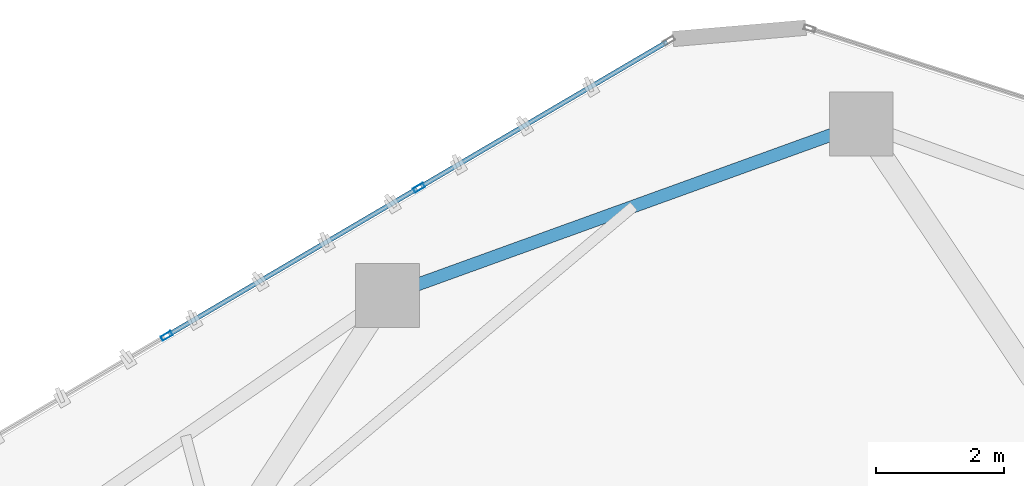
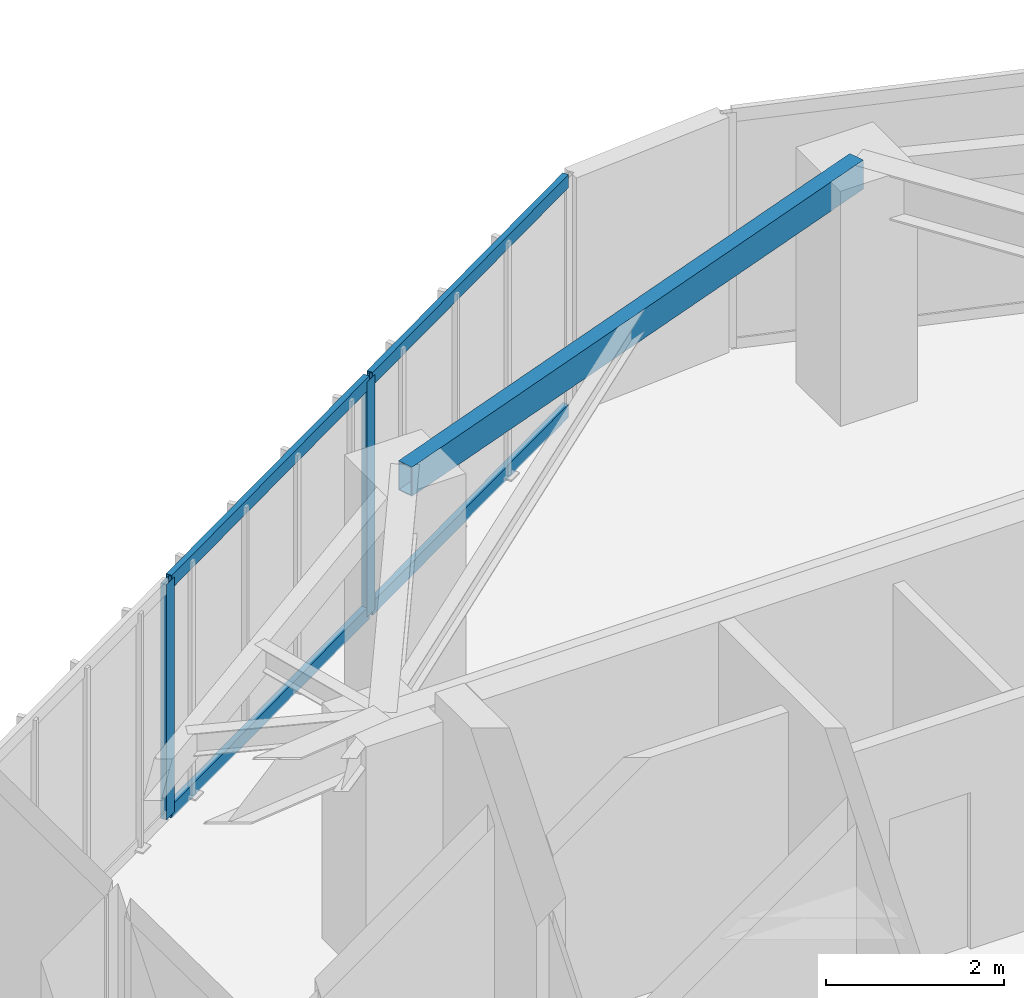
# One storey, part 12 of 19: 6 members, 1 beam, 1 element without a shape of its own.
"""IFC4 building model written with IfcOpenShell, lengths in metres."""

from ifc_helpers import new_model, si_unit, direction, frame, origin, origin_2d, place, context, subcontext, project, spatial, hollow_rectangle, extrude, source, transform, mapped, material, layer, layer_set, material_profile, profile_set, type_object, type_shapes, element, aggregate, save


model = new_model("IFC4")

# Units and contexts
model_context = context("Model", 3, precision=1e-05, world=origin(), true_north=direction((0.0, 1.0)))
body_context = subcontext(model_context, "Body", "Model", "MODEL_VIEW")
ifc_project = project(units=[si_unit("LENGTHUNIT", "METRE"), si_unit("AREAUNIT", "SQUARE_METRE"), si_unit("VOLUMEUNIT", "CUBIC_METRE"), si_unit("PLANEANGLEUNIT", "RADIAN"), si_unit("MASSUNIT", "GRAM", prefix="KILO")], contexts=[model_context])

# Site, building, storey
site_placement = place(None, origin())
site = spatial("IfcSite", under=ifc_project, at=site_placement, CompositionType="ELEMENT")
building_placement = place(site_placement, origin())
building = spatial("IfcBuilding", under=site, at=building_placement, Name="Talar Marvaseh", CompositionType="ELEMENT")
storey_placement = place(building_placement, frame((0.0, 0.0, 181.0)))
storey = spatial("IfcBuildingStorey", under=building, at=storey_placement, Name="L47", CompositionType="ELEMENT", Elevation=181.0)

# Beam
ifc_material_1 = material(Name="Steel S355", Category="steel")
ifc_material_profile_1 = material_profile(ifc_material_1, hollow_rectangle(XDim=0.199951171875, YDim=0.39990234375, WallThickness=0.013916015625, at=origin_2d()), Name="RHS400x200x14")
ifc_profile_set_1 = profile_set([ifc_material_profile_1], Name="Steel S355")
beam_type = type_object("IfcBeamType", Name="Zone 3 Perimeter Spandrel Beam RHS400x200x14", PredefinedType="SPANDREL", material=ifc_profile_set_1)
beam_placement = place(storey_placement, frame((21.35205078125, 40.986083984375, 3.030029296875), z_axis=(0.940368006783, 0.340158803824, 0.0), x_axis=(-0.340158803824, 0.940368006783, 0.0)))
element("IfcBeam", 1, at=beam_placement, inside=storey, type_object=beam_type, Name="L47 Zone 3 Perimeter Spandrel Beam RHS400x200x14", PredefinedType="SPANDREL", context=body_context, shape_type="SweptSolid", body=[
    extrude(hollow_rectangle(XDim=0.199951171875, YDim=0.39990234375, WallThickness=0.013916015625, at=origin_2d()), origin(), (0.0, 0.0, 1.0), 7.88427734375),
])

# Curtain wall, members
ifc_material_2 = material(Name="Architectural Aluminium", Category="aluminium")
ifc_layer = layer(ifc_material_2, 0.18994140625)
ifc_layer_set = layer_set([ifc_layer], Name="Architectural Aluminium")
curtain_wall_type = type_object("IfcCurtainWallType", Name="Unitised Solar Atelier Curtain Wall Z3", PredefinedType="NOTDEFINED", material=ifc_layer_set)
curtain_wall_placement = place(storey_placement, origin())
curtain_wall = element("IfcCurtainWall", 2, at=curtain_wall_placement, inside=storey, type_object=curtain_wall_type, Name="L47 Unitised Solar Atelier Curtain Wall Z3", PredefinedType="NOTDEFINED")
ifc_material_profile_2 = material_profile(ifc_material_2, hollow_rectangle(XDim=0.074951171875, YDim=0.179931640625, WallThickness=0.0048828125, at=origin_2d()), Name="RHS180x75x5")
ifc_profile_set_2 = profile_set([ifc_material_profile_2], Name="Architectural Aluminium")
member_type_1 = type_object("IfcMemberType", Name="Unitised Curtain Wall Standard Mullion RHS180x75x5", PredefinedType="MULLION", material=ifc_profile_set_2)
shared_shape_1 = source(origin(), body_context, "Body", "SweptSolid", [
    extrude(hollow_rectangle(XDim=0.074951171875, YDim=0.179931640625, WallThickness=0.0048828125, at=origin_2d()), origin(), (0.0, 0.0, 1.0), 3.22998046875),
])
type_shapes(member_type_1, [shared_shape_1])
member_1_placement = place(storey_placement, frame((17.899658203125, 40.353271484375, 0.0), z_axis=(0.0, 0.0, 1.0), x_axis=(-0.506514332148, 0.862231541599, 0.0)))
member_1 = element("IfcMember", 3, at=member_1_placement, type_object=member_type_1, Name="CW-Z3 mullion 2", PredefinedType="MULLION", context=body_context, shape_type="MappedRepresentation", body=[
    mapped(shared_shape_1, transform((0.0, 0.0, 0.0), x_axis=(1.0, 0.0, 0.0), y_axis=(0.0, 1.0, 0.0), z_axis=(0.0, 0.0, 1.0), scale=1.0)),
])
member_2_placement = place(storey_placement, frame((21.84619140625, 42.671630859375, 0.0), z_axis=(0.0, 0.0, 1.0), x_axis=(-0.506514332148, 0.862231541599, 0.0)))
member_2 = element("IfcMember", 4, at=member_2_placement, type_object=member_type_1, Name="CW-Z3 mullion 3", PredefinedType="MULLION", context=body_context, shape_type="MappedRepresentation", body=[
    mapped(shared_shape_1, transform((0.0, 0.0, 0.0), x_axis=(1.0, 0.0, 0.0), y_axis=(0.0, 1.0, 0.0), z_axis=(0.0, 0.0, 1.0), scale=1.0)),
])
ifc_material_profile_3 = material_profile(ifc_material_2, hollow_rectangle(XDim=0.074951171875, YDim=0.179931640625, WallThickness=0.0048828125, at=origin_2d()), Name="RHS180x75x5")
ifc_profile_set_3 = profile_set([ifc_material_profile_3], Name="Architectural Aluminium")
member_type_2 = type_object("IfcMemberType", Name="Unitised Curtain Wall Transom RHS180x75x5", PredefinedType="USERDEFINED", material=ifc_profile_set_3)
shared_shape_2 = source(origin(), body_context, "Body", "SweptSolid", [
    extrude(hollow_rectangle(XDim=0.074951171875, YDim=0.179931640625, WallThickness=0.0048828125, at=origin_2d()), origin(), (0.0, 0.0, 1.0), 4.502197265625),
])
member_3_placement = place(storey_placement, frame((17.931884765625, 40.372314453125, 0.03759765625), z_axis=(0.862254661892, 0.506474972773, 0.0), x_axis=(-0.506474972773, 0.862254661892, 0.0)))
member_3 = element("IfcMember", 5, at=member_3_placement, type_object=member_type_2, Name="CW-Z3 transom 2.1", ObjectType="TRANSOM", PredefinedType="USERDEFINED", context=body_context, shape_type="MappedRepresentation", body=[
    mapped(shared_shape_2, transform((0.0, 0.0, 0.0), x_axis=(1.0, 0.0, 0.0), y_axis=(0.0, 1.0, 0.0), z_axis=(0.0, 0.0, 1.0), scale=1.0)),
])
member_4_placement = place(storey_placement, frame((17.931884765625, 40.372314453125, 3.1923828125), z_axis=(0.862254661892, 0.506474972773, 0.0), x_axis=(-0.506474972773, 0.862254661892, 0.0)))
member_4 = element("IfcMember", 6, at=member_4_placement, type_object=member_type_2, Name="CW-Z3 transom 2.2", ObjectType="TRANSOM", PredefinedType="USERDEFINED", context=body_context, shape_type="MappedRepresentation", body=[
    mapped(shared_shape_2, transform((0.0, 0.0, 0.0), x_axis=(1.0, 0.0, 0.0), y_axis=(0.0, 1.0, 0.0), z_axis=(0.0, 0.0, 1.0), scale=1.0)),
])
shared_shape_3 = source(origin(), body_context, "Body", "SweptSolid", [
    extrude(hollow_rectangle(XDim=0.074951171875, YDim=0.179931640625, WallThickness=0.0048828125, at=origin_2d()), origin(), (0.0, 0.0, 1.0), 4.46484375),
])
type_shapes(member_type_2, [shared_shape_2, shared_shape_3])
member_5_placement = place(storey_placement, frame((21.878662109375, 42.690673828125, 0.03759765625), z_axis=(0.862227863917, 0.506520592558, 0.0), x_axis=(-0.506520592558, 0.862227863917, 0.0)))
member_5 = element("IfcMember", 7, at=member_5_placement, type_object=member_type_2, Name="CW-Z3 transom 3.1", ObjectType="TRANSOM", PredefinedType="USERDEFINED", context=body_context, shape_type="MappedRepresentation", body=[
    mapped(shared_shape_3, transform((0.0, 0.0, 0.0), x_axis=(1.0, 0.0, 0.0), y_axis=(0.0, 1.0, 0.0), z_axis=(0.0, 0.0, 1.0), scale=1.0)),
])
member_6_placement = place(storey_placement, frame((21.878662109375, 42.690673828125, 3.1923828125), z_axis=(0.862227863917, 0.506520592558, 0.0), x_axis=(-0.506520592558, 0.862227863917, 0.0)))
member_6 = element("IfcMember", 8, at=member_6_placement, type_object=member_type_2, Name="CW-Z3 transom 3.2", ObjectType="TRANSOM", PredefinedType="USERDEFINED", context=body_context, shape_type="MappedRepresentation", body=[
    mapped(shared_shape_3, transform((0.0, 0.0, 0.0), x_axis=(1.0, 0.0, 0.0), y_axis=(0.0, 1.0, 0.0), z_axis=(0.0, 0.0, 1.0), scale=1.0)),
])
aggregate(curtain_wall, [member_1, member_2, member_3, member_4, member_5, member_6])

save(model, "model.ifc")
